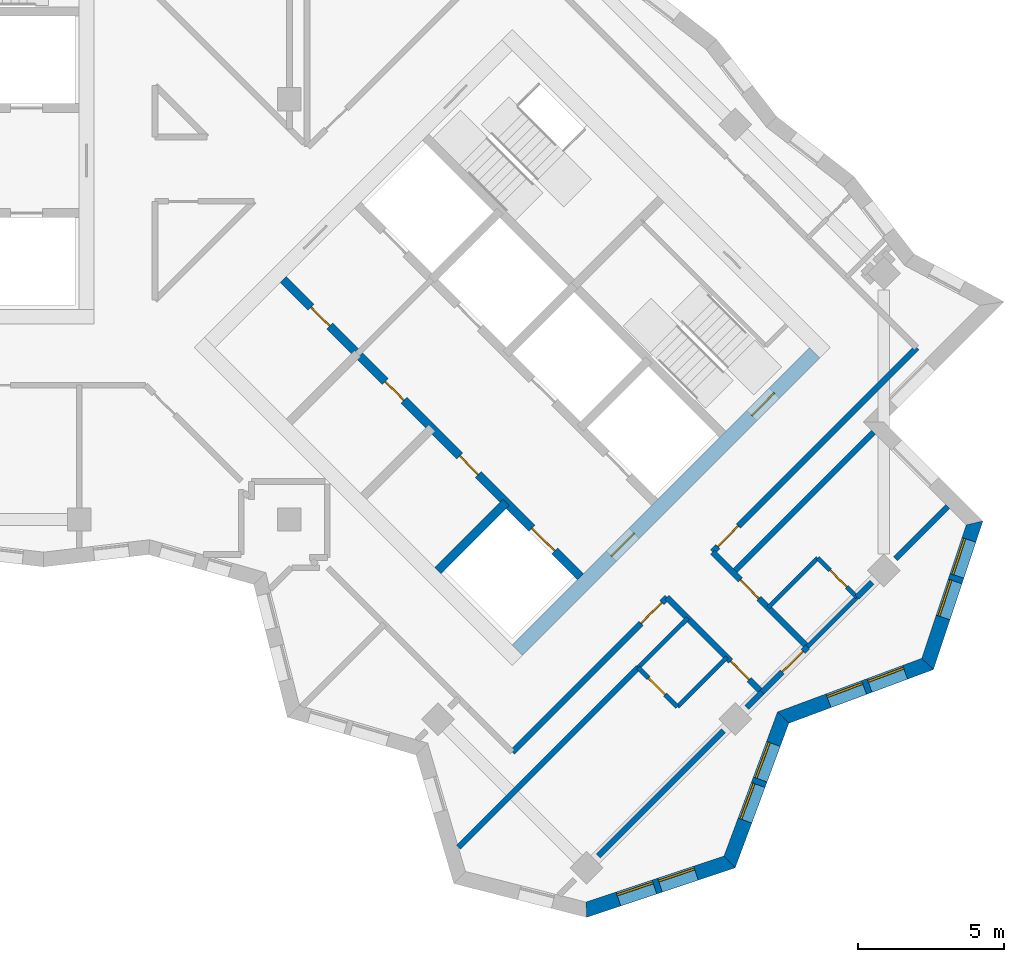
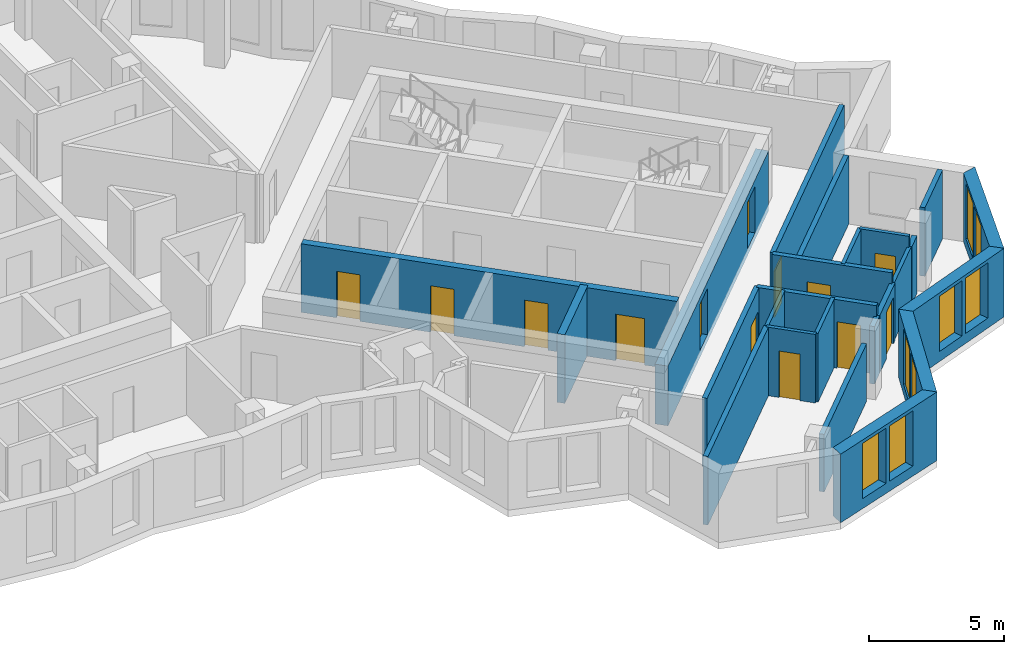
# One storey, part 8 of 13: 24 walls, 13 doors, 8 windows, 21 openings.
"""IFC4 building model written with IfcOpenShell, lengths in metres."""

from ifc_helpers import new_model, si_unit, direction, frame, frame_2d, origin, place, context, subcontext, project, spatial, polyline, rectangle, outline, extrude, material, layer, layer_set, type_object, element, fill, save


model = new_model("IFC4")

# Units and contexts
model_context = context("Model", 3, precision=1e-05, world=origin(), true_north=direction((0.0, 1.0)))
body_context = subcontext(model_context, "Body", "Model", "MODEL_VIEW")
ifc_project = project(units=[si_unit("LENGTHUNIT", "METRE"), si_unit("AREAUNIT", "SQUARE_METRE"), si_unit("VOLUMEUNIT", "CUBIC_METRE"), si_unit("PLANEANGLEUNIT", "RADIAN"), si_unit("MASSUNIT", "GRAM", prefix="KILO")], contexts=[model_context])

# Site, building, storey
site_placement = place(None, origin())
site = spatial("IfcSite", under=ifc_project, at=site_placement, CompositionType="ELEMENT")
building_placement = place(site_placement, origin())
building = spatial("IfcBuilding", under=site, at=building_placement, Name="Windrow Commons", CompositionType="ELEMENT")
storey_placement = place(building_placement, frame((0.0, 0.0, 203.2)))
storey = spatial("IfcBuildingStorey", under=building, at=storey_placement, Name="L55", CompositionType="ELEMENT", Elevation=203.2)

# Wall, openings, windows
ifc_material_1 = material(Name="Brick masonry, red clay brick", Category="masonry")
ifc_layer_1 = layer(ifc_material_1, 0.5)
ifc_layer_set_1 = layer_set([ifc_layer_1], Name="Brick facade wall 500")
wall_type_1 = type_object("IfcWallType", Name="Brick facade wall 500", PredefinedType="SOLIDWALL", material=ifc_layer_set_1)
wall_1_placement = place(storey_placement, frame((89.3728, 29.8339, 0.0), z_axis=(0.0, 0.0, 1.0), x_axis=(0.9486832981, 0.316227766, 0.0)))
wall_1 = element("IfcWall", 1, at=wall_1_placement, inside=storey, type_object=wall_type_1, Name="Brick facade wall L55 1", PredefinedType="SOLIDWALL", context=body_context, shape_type="SweptSolid", body=[
    extrude(outline(polyline([(-0.0733, -0.25), (5.2933, -0.25), (5.0538, 0.25), (0.0733, 0.25), (-0.0733, -0.25)])), origin(), (0.0, 0.0, 1.0), 3.1),
])
opening_1_placement = place(wall_1_placement, frame((1.1585, 0.0, 0.45)))
opening_1 = element("IfcOpeningElement", 2, at=opening_1_placement, cuts=wall_1, Name="Opening W1Q", PredefinedType="OPENING", context=body_context, shape_type="SweptSolid", body=[
    extrude(rectangle(XDim=1.3, YDim=2.5, at=frame_2d((0.65, 1.25))), frame((0.0, 0.26, 0.0), z_axis=(0.0, -1.0, 0.0), x_axis=(1.0, 0.0, 0.0)), (0.0, 0.0, 1.0), 0.52),
])
opening_2_placement = place(wall_1_placement, frame((2.6585, 0.0, 0.45)))
opening_2 = element("IfcOpeningElement", 3, at=opening_2_placement, cuts=wall_1, Name="Opening W1Q", PredefinedType="OPENING", context=body_context, shape_type="SweptSolid", body=[
    extrude(rectangle(XDim=1.3, YDim=2.5, at=frame_2d((0.65, 1.25))), frame((0.0, 0.26, 0.0), z_axis=(0.0, -1.0, 0.0), x_axis=(1.0, 0.0, 0.0)), (0.0, 0.0, 1.0), 0.52),
])
ifc_material_2 = material(Name="Clear float glass in anodised aluminium frame", Category="aluminium")
window_type = type_object("IfcWindowType", Name="Window W1Q pair 1300x2500", PartitioningType="SINGLE_PANEL", PredefinedType="WINDOW", material=ifc_material_2)
window_1_placement = place(opening_1_placement, origin())
window_1 = element("IfcWindow", 4, at=window_1_placement, inside=storey, type_object=window_type, Name="Window L55 1.1A", OverallHeight=2.5, OverallWidth=1.3, PartitioningType="SINGLE_PANEL", PredefinedType="WINDOW", context=body_context, shape_type="SweptSolid", body=[
    extrude(rectangle(XDim=1.3, YDim=2.5, at=frame_2d((0.65, 1.25))), frame((0.0, 0.18, 0.0), z_axis=(0.0, -1.0, 0.0), x_axis=(1.0, 0.0, 0.0)), (0.0, 0.0, 1.0), 0.06),
])
fill(opening_1, window_1)
window_2_placement = place(opening_2_placement, origin())
window_2 = element("IfcWindow", 5, at=window_2_placement, inside=storey, type_object=window_type, Name="Window L55 1.1B", OverallHeight=2.5, OverallWidth=1.3, PartitioningType="SINGLE_PANEL", PredefinedType="WINDOW", context=body_context, shape_type="SweptSolid", body=[
    extrude(rectangle(XDim=1.3, YDim=2.5, at=frame_2d((0.65, 1.25))), frame((0.0, 0.18, 0.0), z_axis=(0.0, -1.0, 0.0), x_axis=(1.0, 0.0, 0.0)), (0.0, 0.0, 1.0), 0.06),
])
fill(opening_2, window_2)

wall_2_placement = place(storey_placement, frame((94.2808, 31.4699, 0.0), z_axis=(0.0, 0.0, 1.0), x_axis=(0.3481903374, 0.9374238577, 0.0)))
wall_2 = element("IfcWall", 6, at=wall_2_placement, inside=storey, type_object=wall_type_1, Name="Brick facade wall L55 2", PredefinedType="SOLIDWALL", context=body_context, shape_type="SweptSolid", body=[
    extrude(outline(polyline([(-0.1197, -0.25), (5.1604, -0.25), (5.3896, 0.25), (0.1197, 0.25), (-0.1197, -0.25)])), origin(), (0.0, 0.0, 1.0), 3.1),
])
opening_3_placement = place(wall_2_placement, frame((1.5123, 0.0, 0.45)))
opening_3 = element("IfcOpeningElement", 7, at=opening_3_placement, cuts=wall_2, Name="Opening W1Q", PredefinedType="OPENING", context=body_context, shape_type="SweptSolid", body=[
    extrude(rectangle(XDim=1.3, YDim=2.5, at=frame_2d((0.65, 1.25))), frame((0.0, 0.26, 0.0), z_axis=(0.0, -1.0, 0.0), x_axis=(1.0, 0.0, 0.0)), (0.0, 0.0, 1.0), 0.52),
])
opening_4_placement = place(wall_2_placement, frame((3.0123, 0.0, 0.45)))
opening_4 = element("IfcOpeningElement", 8, at=opening_4_placement, cuts=wall_2, Name="Opening W1Q", PredefinedType="OPENING", context=body_context, shape_type="SweptSolid", body=[
    extrude(rectangle(XDim=1.3, YDim=2.5, at=frame_2d((0.65, 1.25))), frame((0.0, 0.26, 0.0), z_axis=(0.0, -1.0, 0.0), x_axis=(1.0, 0.0, 0.0)), (0.0, 0.0, 1.0), 0.52),
])
window_3_placement = place(opening_3_placement, origin())
window_3 = element("IfcWindow", 9, at=window_3_placement, inside=storey, type_object=window_type, Name="Window L55 2.1A", OverallHeight=2.5, OverallWidth=1.3, PartitioningType="SINGLE_PANEL", PredefinedType="WINDOW", context=body_context, shape_type="SweptSolid", body=[
    extrude(rectangle(XDim=1.3, YDim=2.5, at=frame_2d((0.65, 1.25))), frame((0.0, 0.18, 0.0), z_axis=(0.0, -1.0, 0.0), x_axis=(1.0, 0.0, 0.0)), (0.0, 0.0, 1.0), 0.06),
])
fill(opening_3, window_3)
window_4_placement = place(opening_4_placement, origin())
window_4 = element("IfcWindow", 10, at=window_4_placement, inside=storey, type_object=window_type, Name="Window L55 2.1B", OverallHeight=2.5, OverallWidth=1.3, PartitioningType="SINGLE_PANEL", PredefinedType="WINDOW", context=body_context, shape_type="SweptSolid", body=[
    extrude(rectangle(XDim=1.3, YDim=2.5, at=frame_2d((0.65, 1.25))), frame((0.0, 0.18, 0.0), z_axis=(0.0, -1.0, 0.0), x_axis=(1.0, 0.0, 0.0)), (0.0, 0.0, 1.0), 0.06),
])
fill(opening_4, window_4)

wall_3_placement = place(storey_placement, frame((96.1175, 36.4148, 0.0), z_axis=(0.0, 0.0, 1.0), x_axis=(0.9374238577, 0.3481903374, 0.0)))
wall_3 = element("IfcWall", 11, at=wall_3_placement, inside=storey, type_object=wall_type_1, Name="Brick facade wall L55 3", PredefinedType="SOLIDWALL", context=body_context, shape_type="SweptSolid", body=[
    extrude(outline(polyline([(0.1146, -0.25), (5.3947, -0.25), (5.1552, 0.25), (-0.1146, 0.25), (0.1146, -0.25)])), origin(), (0.0, 0.0, 1.0), 3.1),
])
opening_5_placement = place(wall_3_placement, frame((1.655, 0.0, 0.45)))
opening_5 = element("IfcOpeningElement", 12, at=opening_5_placement, cuts=wall_3, Name="Opening W1Q", PredefinedType="OPENING", context=body_context, shape_type="SweptSolid", body=[
    extrude(rectangle(XDim=1.3, YDim=2.5, at=frame_2d((0.65, 1.25))), frame((0.0, 0.26, 0.0), z_axis=(0.0, -1.0, 0.0), x_axis=(1.0, 0.0, 0.0)), (0.0, 0.0, 1.0), 0.52),
])
opening_6_placement = place(wall_3_placement, frame((3.155, 0.0, 0.45)))
opening_6 = element("IfcOpeningElement", 13, at=opening_6_placement, cuts=wall_3, Name="Opening W1Q", PredefinedType="OPENING", context=body_context, shape_type="SweptSolid", body=[
    extrude(rectangle(XDim=1.3, YDim=2.5, at=frame_2d((0.65, 1.25))), frame((0.0, 0.26, 0.0), z_axis=(0.0, -1.0, 0.0), x_axis=(1.0, 0.0, 0.0)), (0.0, 0.0, 1.0), 0.52),
])
window_5_placement = place(opening_5_placement, origin())
window_5 = element("IfcWindow", 14, at=window_5_placement, inside=storey, type_object=window_type, Name="Window L55 3.1A", OverallHeight=2.5, OverallWidth=1.3, PartitioningType="SINGLE_PANEL", PredefinedType="WINDOW", context=body_context, shape_type="SweptSolid", body=[
    extrude(rectangle(XDim=1.3, YDim=2.5, at=frame_2d((0.65, 1.25))), frame((0.0, 0.18, 0.0), z_axis=(0.0, -1.0, 0.0), x_axis=(1.0, 0.0, 0.0)), (0.0, 0.0, 1.0), 0.06),
])
fill(opening_5, window_5)
window_6_placement = place(opening_6_placement, origin())
window_6 = element("IfcWindow", 15, at=window_6_placement, inside=storey, type_object=window_type, Name="Window L55 3.1B", OverallHeight=2.5, OverallWidth=1.3, PartitioningType="SINGLE_PANEL", PredefinedType="WINDOW", context=body_context, shape_type="SweptSolid", body=[
    extrude(rectangle(XDim=1.3, YDim=2.5, at=frame_2d((0.65, 1.25))), frame((0.0, 0.18, 0.0), z_axis=(0.0, -1.0, 0.0), x_axis=(1.0, 0.0, 0.0)), (0.0, 0.0, 1.0), 0.06),
])
fill(opening_6, window_6)

wall_4_placement = place(storey_placement, frame((101.0624, 38.2515, 0.0), z_axis=(0.0, 0.0, 1.0), x_axis=(0.3162395484, 0.9486793705, 0.0)))
wall_4 = element("IfcWall", 16, at=wall_4_placement, inside=storey, type_object=wall_type_1, Name="Brick facade wall L55 4", PredefinedType="SOLIDWALL", context=body_context, shape_type="SweptSolid", body=[
    extrude(outline(polyline([(-0.1197, -0.25), (5.2468, -0.25), (4.9378, 0.25), (0.1197, 0.25), (-0.1197, -0.25)])), origin(), (0.0, 0.0, 1.0), 3.1),
])
opening_7_placement = place(wall_4_placement, frame((1.6796, 0.0, 0.45)))
opening_7 = element("IfcOpeningElement", 17, at=opening_7_placement, cuts=wall_4, Name="Opening W1Q", PredefinedType="OPENING", context=body_context, shape_type="SweptSolid", body=[
    extrude(rectangle(XDim=1.3, YDim=2.5, at=frame_2d((0.65, 1.25))), frame((0.0, 0.26, 0.0), z_axis=(0.0, -1.0, 0.0), x_axis=(1.0, 0.0, 0.0)), (0.0, 0.0, 1.0), 0.52),
])
opening_8_placement = place(wall_4_placement, frame((3.1796, 0.0, 0.45)))
opening_8 = element("IfcOpeningElement", 18, at=opening_8_placement, cuts=wall_4, Name="Opening W1Q", PredefinedType="OPENING", context=body_context, shape_type="SweptSolid", body=[
    extrude(rectangle(XDim=1.3, YDim=2.5, at=frame_2d((0.65, 1.25))), frame((0.0, 0.26, 0.0), z_axis=(0.0, -1.0, 0.0), x_axis=(1.0, 0.0, 0.0)), (0.0, 0.0, 1.0), 0.52),
])
window_7_placement = place(opening_7_placement, origin())
window_7 = element("IfcWindow", 19, at=window_7_placement, inside=storey, type_object=window_type, Name="Window L55 4.1A", OverallHeight=2.5, OverallWidth=1.3, PartitioningType="SINGLE_PANEL", PredefinedType="WINDOW", context=body_context, shape_type="SweptSolid", body=[
    extrude(rectangle(XDim=1.3, YDim=2.5, at=frame_2d((0.65, 1.25))), frame((0.0, 0.18, 0.0), z_axis=(0.0, -1.0, 0.0), x_axis=(1.0, 0.0, 0.0)), (0.0, 0.0, 1.0), 0.06),
])
fill(opening_7, window_7)
window_8_placement = place(opening_8_placement, origin())
window_8 = element("IfcWindow", 20, at=window_8_placement, inside=storey, type_object=window_type, Name="Window L55 4.1B", OverallHeight=2.5, OverallWidth=1.3, PartitioningType="SINGLE_PANEL", PredefinedType="WINDOW", context=body_context, shape_type="SweptSolid", body=[
    extrude(rectangle(XDim=1.3, YDim=2.5, at=frame_2d((0.65, 1.25))), frame((0.0, 0.18, 0.0), z_axis=(0.0, -1.0, 0.0), x_axis=(1.0, 0.0, 0.0)), (0.0, 0.0, 1.0), 0.06),
])
fill(opening_8, window_8)

# Wall, opening, door
ifc_material_3 = material(Name="Blockwork partition", Category="masonry")
ifc_layer_2 = layer(ifc_material_3, 0.2)
ifc_layer_set_2 = layer_set([ifc_layer_2], Name="IW-CORRIDOR-200")
wall_type_2 = type_object("IfcWallType", Name="IW-CORRIDOR-200", PredefinedType="PARTITIONING", material=ifc_layer_set_2)
wall_5_placement = place(storey_placement, frame((93.6953, 42.0907, 0.0), z_axis=(0.0, 0.0, 1.0), x_axis=(0.7071067812, 0.7071067812, 0.0)))
wall_5 = element("IfcWall", 21, at=wall_5_placement, inside=storey, type_object=wall_type_2, Name="W-L55-W009", PredefinedType="PARTITIONING", context=body_context, shape_type="SweptSolid", body=[
    extrude(rectangle(XDim=9.8995, YDim=0.2, at=frame_2d((4.9497, 0.0))), origin(), (0.0, 0.0, 1.0), 3.1),
])
opening_9_placement = place(wall_5_placement, frame((0.2553, 0.0, 0.0)))
opening_9 = element("IfcOpeningElement", 22, at=opening_9_placement, cuts=wall_5, Name="Opening D310F", PredefinedType="OPENING", context=body_context, shape_type="SweptSolid", body=[
    extrude(rectangle(XDim=1.0, YDim=2.1, at=frame_2d((0.5, 1.05))), frame((0.0, 0.11, 0.0), z_axis=(0.0, -1.0, 0.0), x_axis=(1.0, 0.0, 0.0)), (0.0, 0.0, 1.0), 0.22),
])
ifc_material_4 = material(Name="Timber door leaf", Category="wood")
door_type_1 = type_object("IfcDoorType", Name="DT-AMENITY-1000", OperationType="SINGLE_SWING_LEFT", PredefinedType="DOOR", material=ifc_material_4)
door_1_placement = place(opening_9_placement, origin())
door_1 = element("IfcDoor", 23, at=door_1_placement, inside=storey, type_object=door_type_1, Name="D-L55-D048", OperationType="SINGLE_SWING_LEFT", OverallHeight=2.1, OverallWidth=1.0, PredefinedType="DOOR", context=body_context, shape_type="SweptSolid", body=[
    extrude(rectangle(XDim=1.0, YDim=2.1, at=frame_2d((0.5, 1.05))), frame((0.0, 0.025, 0.0), z_axis=(0.0, -1.0, 0.0), x_axis=(1.0, 0.0, 0.0)), (0.0, 0.0, 1.0), 0.05),
])
fill(opening_9, door_1)

wall_6_placement = place(storey_placement, frame((86.8353, 35.2307, 0.0), z_axis=(0.0, 0.0, 1.0), x_axis=(0.7071067812, 0.7071067812, 0.0)))
wall_6 = element("IfcWall", 24, at=wall_6_placement, inside=storey, type_object=wall_type_2, Name="W-L55-W013", PredefinedType="PARTITIONING", context=body_context, shape_type="SweptSolid", body=[
    extrude(rectangle(XDim=7.501, YDim=0.2, at=frame_2d((3.7505, 0.0))), origin(), (0.0, 0.0, 1.0), 3.1),
])
opening_10_placement = place(wall_6_placement, frame((6.2426, 0.0, 0.0)))
opening_10 = element("IfcOpeningElement", 25, at=opening_10_placement, cuts=wall_6, Name="Opening D310F", PredefinedType="OPENING", context=body_context, shape_type="SweptSolid", body=[
    extrude(rectangle(XDim=1.0, YDim=2.1, at=frame_2d((0.5, 1.05))), frame((0.0, 0.11, 0.0), z_axis=(0.0, -1.0, 0.0), x_axis=(1.0, 0.0, 0.0)), (0.0, 0.0, 1.0), 0.22),
])
door_2_placement = place(opening_10_placement, origin())
door_2 = element("IfcDoor", 26, at=door_2_placement, inside=storey, type_object=door_type_1, Name="D-L55-D049", OperationType="SINGLE_SWING_RIGHT", OverallHeight=2.1, OverallWidth=1.0, PredefinedType="DOOR", context=body_context, shape_type="SweptSolid", body=[
    extrude(rectangle(XDim=1.0, YDim=2.1, at=frame_2d((0.5, 1.05))), frame((0.0, 0.025, 0.0), z_axis=(0.0, -1.0, 0.0), x_axis=(1.0, 0.0, 0.0)), (0.0, 0.0, 1.0), 0.05),
])
fill(opening_10, door_2)

wall_7_placement = place(storey_placement, frame((93.6933, 42.0853, 0.0), z_axis=(0.0, 0.0, 1.0), x_axis=(0.7071067812, -0.7071067812, 0.0)))
wall_7 = element("IfcWall", 27, at=wall_7_placement, inside=storey, type_object=wall_type_2, Name="W-L55-W034", PredefinedType="PARTITIONING", context=body_context, shape_type="SweptSolid", body=[
    extrude(rectangle(XDim=4.599, YDim=0.2, at=frame_2d((2.2995, 0.0))), origin(), (0.0, 0.0, 1.0), 3.1),
])
opening_11_placement = place(wall_7_placement, frame((1.3488, 0.0, 0.0)))
opening_11 = element("IfcOpeningElement", 28, at=opening_11_placement, cuts=wall_7, Name="Opening D109S", PredefinedType="OPENING", context=body_context, shape_type="SweptSolid", body=[
    extrude(rectangle(XDim=0.9, YDim=2.1, at=frame_2d((0.45, 1.05))), frame((0.0, 0.11, 0.0), z_axis=(0.0, -1.0, 0.0), x_axis=(1.0, 0.0, 0.0)), (0.0, 0.0, 1.0), 0.22),
])
ifc_material_5 = material(Name="Timber door leaf", Category="wood")
door_type_2 = type_object("IfcDoorType", Name="DT-BEDROOM-900", OperationType="SINGLE_SWING_LEFT", PredefinedType="DOOR", material=ifc_material_5)
door_3_placement = place(opening_11_placement, origin())
door_3 = element("IfcDoor", 29, at=door_3_placement, inside=storey, type_object=door_type_2, Name="D-L55-D050", OperationType="SINGLE_SWING_RIGHT", OverallHeight=2.1, OverallWidth=0.9, PredefinedType="DOOR", context=body_context, shape_type="SweptSolid", body=[
    extrude(rectangle(XDim=0.9, YDim=2.1, at=frame_2d((0.45, 1.05))), frame((0.0, 0.025, 0.0), z_axis=(0.0, -1.0, 0.0), x_axis=(1.0, 0.0, 0.0)), (0.0, 0.0, 1.0), 0.05),
])
fill(opening_11, door_3)

wall_8_placement = place(storey_placement, frame((92.1367, 40.5307, 0.0), z_axis=(0.0, 0.0, 1.0), x_axis=(0.7071067812, -0.7071067812, 0.0)))
wall_8 = element("IfcWall", 30, at=wall_8_placement, inside=storey, type_object=wall_type_2, Name="W-L55-W035", PredefinedType="PARTITIONING", context=body_context, shape_type="SweptSolid", body=[
    extrude(rectangle(XDim=4.599, YDim=0.2, at=frame_2d((2.2995, 0.0))), origin(), (0.0, 0.0, 1.0), 3.1),
])
opening_12_placement = place(wall_8_placement, frame((3.0827, 0.0, 0.0)))
opening_12 = element("IfcOpeningElement", 31, at=opening_12_placement, cuts=wall_8, Name="Opening D109S", PredefinedType="OPENING", context=body_context, shape_type="SweptSolid", body=[
    extrude(rectangle(XDim=0.9, YDim=2.1, at=frame_2d((0.45, 1.05))), frame((0.0, 0.11, 0.0), z_axis=(0.0, -1.0, 0.0), x_axis=(1.0, 0.0, 0.0)), (0.0, 0.0, 1.0), 0.22),
])
door_4_placement = place(opening_12_placement, origin())
door_4 = element("IfcDoor", 32, at=door_4_placement, inside=storey, type_object=door_type_2, Name="D-L55-D052", OperationType="SINGLE_SWING_LEFT", OverallHeight=2.1, OverallWidth=0.9, PredefinedType="DOOR", context=body_context, shape_type="SweptSolid", body=[
    extrude(rectangle(XDim=0.9, YDim=2.1, at=frame_2d((0.45, 1.05))), frame((0.0, 0.025, 0.0), z_axis=(0.0, -1.0, 0.0), x_axis=(1.0, 0.0, 0.0)), (0.0, 0.0, 1.0), 0.05),
])
fill(opening_12, door_4)

wall_9_placement = place(storey_placement, frame((95.3923, 37.2817, 0.0), z_axis=(0.0, 0.0, 1.0), x_axis=(0.7075613659, 0.706651904, 0.0)))
wall_9 = element("IfcWall", 33, at=wall_9_placement, inside=storey, type_object=wall_type_2, Name="W-L55-W096", PredefinedType="PARTITIONING", context=body_context, shape_type="SweptSolid", body=[
    extrude(rectangle(XDim=2.1991, YDim=0.2, at=frame_2d((1.0996, 0.0))), origin(), (0.0, 0.0, 1.0), 2.6),
])
opening_13_placement = place(wall_9_placement, frame((0.9865, 0.0, 0.0)))
opening_13 = element("IfcOpeningElement", 34, at=opening_13_placement, cuts=wall_9, Name="Opening D310F", PredefinedType="OPENING", context=body_context, shape_type="SweptSolid", body=[
    extrude(rectangle(XDim=1.0, YDim=2.1, at=frame_2d((0.5, 1.05))), frame((0.0, 0.11, 0.0), z_axis=(0.0, -1.0, 0.0), x_axis=(1.0, 0.0, 0.0)), (0.0, 0.0, 1.0), 0.22),
])
door_5_placement = place(opening_13_placement, origin())
door_5 = element("IfcDoor", 35, at=door_5_placement, inside=storey, type_object=door_type_1, Name="D-L55-D054", OperationType="SINGLE_SWING_RIGHT", OverallHeight=2.1, OverallWidth=1.0, PredefinedType="DOOR", context=body_context, shape_type="SweptSolid", body=[
    extrude(rectangle(XDim=1.0, YDim=2.1, at=frame_2d((0.5, 1.05))), frame((0.0, 0.025, 0.0), z_axis=(0.0, -1.0, 0.0), x_axis=(1.0, 0.0, 0.0)), (0.0, 0.0, 1.0), 0.05),
])
fill(opening_13, door_5)

# Walls
ifc_material_6 = material(Name="Blockwork partition", Category="masonry")
ifc_layer_3 = layer(ifc_material_6, 0.15)
ifc_layer_set_3 = layer_set([ifc_layer_3], Name="IW-ENSUITE-150")
wall_type_3 = type_object("IfcWallType", Name="IW-ENSUITE-150", PredefinedType="PARTITIONING", material=ifc_layer_set_3)
wall_10_placement = place(storey_placement, frame((95.6035, 40.1805, 0.0), z_axis=(0.0, 0.0, 1.0), x_axis=(0.7071067812, 0.7071067812, 0.0)))
element("IfcWall", 36, at=wall_10_placement, inside=storey, type_object=wall_type_3, Name="W-L55-W060", PredefinedType="PARTITIONING", context=body_context, shape_type="SweptSolid", body=[
    extrude(rectangle(XDim=2.4013, YDim=0.15, at=frame_2d((1.2006, 0.0))), origin(), (0.0, 0.0, 1.0), 3.1),
])
wall_11_placement = place(storey_placement, frame((96.947, 38.837, 0.0), z_axis=(0.0, 0.0, 1.0), x_axis=(0.7071067812, 0.7071067812, 0.0)))
element("IfcWall", 37, at=wall_11_placement, inside=storey, type_object=wall_type_3, Name="W-L55-W061", PredefinedType="PARTITIONING", context=body_context, shape_type="SweptSolid", body=[
    extrude(rectangle(XDim=2.4013, YDim=0.15, at=frame_2d((1.2006, 0.0))), origin(), (0.0, 0.0, 1.0), 2.6),
])
for number, where, z_axis, x_axis, name in (
    (38, (91.1522, 38.1278, 0.0), (0.0, 0.0, 1.0), (0.7075233388, 0.706689978, 0.0), "W-L55-W089"),
    (39, (92.4973, 36.7827, 0.0), (0.0, 0.0, 1.0), (0.706689978, 0.7075233388, 0.0), "W-L55-W090"),
):
    element("IfcWall", number, at=place(storey_placement, frame(where, z_axis=z_axis, x_axis=x_axis)), inside=storey, type_object=wall_type_3, Name=name, PredefinedType="PARTITIONING", context=body_context, shape_type="SweptSolid", body=[
        extrude(rectangle(XDim=2.3999, YDim=0.15, at=frame_2d((1.2, 0.0))), origin(), (0.0, 0.0, 1.0), 3.1),
    ])

# Wall, opening, door
wall_12_placement = place(storey_placement, frame((97.3054, 41.8814, 0.0), z_axis=(0.0, 0.0, 1.0), x_axis=(0.7071067812, -0.7071067812, 0.0)))
wall_12 = element("IfcWall", 40, at=wall_12_placement, inside=storey, type_object=wall_type_3, Name="W-L55-W109", PredefinedType="PARTITIONING", context=body_context, shape_type="SweptSolid", body=[
    extrude(rectangle(XDim=1.9007, YDim=0.15, at=frame_2d((0.9504, 0.0))), origin(), (0.0, 0.0, 1.0), 3.1),
])
opening_14_placement = place(wall_12_placement, frame((0.5956, 0.0, 0.0)))
opening_14 = element("IfcOpeningElement", 41, at=opening_14_placement, cuts=wall_12, Name="Opening D208N", PredefinedType="OPENING", context=body_context, shape_type="SweptSolid", body=[
    extrude(rectangle(XDim=0.8, YDim=2.1, at=frame_2d((0.4, 1.05))), frame((0.0, 0.085, 0.0), z_axis=(0.0, -1.0, 0.0), x_axis=(1.0, 0.0, 0.0)), (0.0, 0.0, 1.0), 0.17),
])
ifc_material_7 = material(Name="Timber door leaf", Category="wood")
door_type_3 = type_object("IfcDoorType", Name="DT-ENSUITE-800", OperationType="SINGLE_SWING_LEFT", PredefinedType="DOOR", material=ifc_material_7)
door_6_placement = place(opening_14_placement, origin())
door_6 = element("IfcDoor", 42, at=door_6_placement, inside=storey, type_object=door_type_3, Name="D-L55-D051", OperationType="SINGLE_SWING_RIGHT", OverallHeight=2.1, OverallWidth=0.8, PredefinedType="DOOR", context=body_context, shape_type="SweptSolid", body=[
    extrude(rectangle(XDim=0.8, YDim=2.1, at=frame_2d((0.4, 1.05))), frame((0.0, 0.025, 0.0), z_axis=(0.0, -1.0, 0.0), x_axis=(1.0, 0.0, 0.0)), (0.0, 0.0, 1.0), 0.05),
])
fill(opening_14, door_6)

wall_13_placement = place(storey_placement, frame((91.1466, 38.1266, 0.0), z_axis=(0.0, 0.0, 1.0), x_axis=(0.7071067812, -0.7071067812, 0.0)))
wall_13 = element("IfcWall", 43, at=wall_13_placement, inside=storey, type_object=wall_type_3, Name="W-L55-W110", PredefinedType="PARTITIONING", context=body_context, shape_type="SweptSolid", body=[
    extrude(rectangle(XDim=1.9007, YDim=0.15, at=frame_2d((0.9504, 0.0))), origin(), (0.0, 0.0, 1.0), 3.1),
])
opening_15_placement = place(wall_13_placement, frame((0.5056, 0.0, 0.0)))
opening_15 = element("IfcOpeningElement", 44, at=opening_15_placement, cuts=wall_13, Name="Opening D208N", PredefinedType="OPENING", context=body_context, shape_type="SweptSolid", body=[
    extrude(rectangle(XDim=0.8, YDim=2.1, at=frame_2d((0.4, 1.05))), frame((0.0, 0.085, 0.0), z_axis=(0.0, -1.0, 0.0), x_axis=(1.0, 0.0, 0.0)), (0.0, 0.0, 1.0), 0.17),
])
door_7_placement = place(opening_15_placement, origin())
door_7 = element("IfcDoor", 45, at=door_7_placement, inside=storey, type_object=door_type_3, Name="D-L55-D053", OperationType="SINGLE_SWING_RIGHT", OverallHeight=2.1, OverallWidth=0.8, PredefinedType="DOOR", context=body_context, shape_type="SweptSolid", body=[
    extrude(rectangle(XDim=0.8, YDim=2.1, at=frame_2d((0.4, 1.05))), frame((0.0, 0.025, 0.0), z_axis=(0.0, -1.0, 0.0), x_axis=(1.0, 0.0, 0.0)), (0.0, 0.0, 1.0), 0.05),
])
fill(opening_15, door_7)

# Walls
ifc_material_8 = material(Name="Blockwork partition", Category="masonry")
ifc_layer_4 = layer(ifc_material_8, 0.2)
ifc_layer_set_4 = layer_set([ifc_layer_4], Name="IW-PARTY-200")
wall_type_4 = type_object("IfcWallType", Name="IW-PARTY-200", PredefinedType="PARTITIONING", material=ifc_layer_set_4)
wall_14_placement = place(storey_placement, frame((84.9896, 31.9708, 0.0), z_axis=(0.0, 0.0, 1.0), x_axis=(0.7071067812, 0.7071067812, 0.0)))
element("IfcWall", 46, at=wall_14_placement, inside=storey, type_object=wall_type_4, Name="W-L55-W012", PredefinedType="PARTITIONING", context=body_context, shape_type="SweptSolid", body=[
    extrude(rectangle(XDim=8.7113, YDim=0.2, at=frame_2d((4.3556, 0.0))), origin(), (0.0, 0.0, 1.0), 3.1),
])
wall_15_placement = place(storey_placement, frame((94.4016, 41.3824, 0.0), z_axis=(0.0, 0.0, 1.0), x_axis=(0.7072538072, 0.7069597246, 0.0)))
element("IfcWall", 47, at=wall_15_placement, inside=storey, type_object=wall_type_4, Name="W-L55-W017", PredefinedType="PARTITIONING", context=body_context, shape_type="SweptSolid", body=[
    extrude(rectangle(XDim=6.8008, YDim=0.2, at=frame_2d((3.4004, 0.0))), origin(), (0.0, 0.0, 1.0), 3.1),
])
wall_16_placement = place(storey_placement, frame((89.781, 31.671, 0.0), z_axis=(0.0, 0.0, 1.0), x_axis=(0.7071067812, 0.7071067812, 0.0)))
element("IfcWall", 48, at=wall_16_placement, inside=storey, type_object=wall_type_4, Name="W-L55-W026", PredefinedType="PARTITIONING", context=body_context, shape_type="SweptSolid", body=[
    extrude(rectangle(XDim=6.0698, YDim=0.2, at=frame_2d((3.0349, 0.0))), origin(), (0.0, 0.0, 1.0), 2.6),
])
wall_17_placement = place(storey_placement, frame((99.964, 41.854, 0.0), z_axis=(0.0, 0.0, 1.0), x_axis=(0.7071265121, 0.7070870497, 0.0)))
element("IfcWall", 49, at=wall_17_placement, inside=storey, type_object=wall_type_4, Name="W-L55-W059", PredefinedType="PARTITIONING", context=body_context, shape_type="SweptSolid", body=[
    extrude(rectangle(XDim=2.5341, YDim=0.2, at=frame_2d((1.2671, 0.0))), origin(), (0.0, 0.0, 1.0), 3.1),
])
for number, where, z_axis, x_axis, name in (
    (50, (98.6453, 40.5347, 0.0), (0.0, 0.0, 1.0), (0.7057430303, 0.7084679069, 0.0), "W-L55-W149"),
    (51, (94.8735, 36.7625, 0.0), (0.0, 0.0, 1.0), (0.7057430303, 0.7084679069, 0.0), "W-L55-W150"),
):
    element("IfcWall", number, at=place(storey_placement, frame(where, z_axis=z_axis, x_axis=x_axis)), inside=storey, type_object=wall_type_4, Name=name, PredefinedType="PARTITIONING", context=body_context, shape_type="SweptSolid", body=[
        extrude(rectangle(XDim=0.734, YDim=0.2, at=frame_2d((0.367, 0.0))), origin(), (0.0, 0.0, 1.0), 2.6),
    ])

# Wall, openings, doors
ifc_material_9 = material(Name="Concrete C40/50", Category="concrete")
ifc_layer_5 = layer(ifc_material_9, 0.5)
ifc_layer_set_5 = layer_set([ifc_layer_5], Name="RC CORE WALL 500 C40/50")
wall_type_5 = type_object("IfcWallType", Name="RC CORE WALL 500 C40/50", PredefinedType="SHEAR", material=ifc_layer_set_5)
wall_18_placement = place(storey_placement, frame((87.0135, 38.7306, -0.3), z_axis=(0.0, 0.0, 1.0), x_axis=(0.7071067812, 0.7071067812, 0.0)))
wall_18 = element("IfcWall", 52, at=wall_18_placement, inside=storey, type_object=wall_type_5, Name="Core B wall outer-E", PredefinedType="SHEAR", context=body_context, shape_type="SweptSolid", body=[
    extrude(rectangle(XDim=14.4001, YDim=0.5, at=frame_2d((7.2001, 0.0))), origin(), (0.0, 0.0, 1.0), 2.7),
])
opening_16_placement = place(wall_18_placement, frame((4.55, 0.0, 0.3)))
opening_16 = element("IfcOpeningElement", 53, at=opening_16_placement, cuts=wall_18, Name="Opening D6", PredefinedType="OPENING", context=body_context, shape_type="SweptSolid", body=[
    extrude(rectangle(XDim=1.1, YDim=2.1, at=frame_2d((0.55, 1.05))), frame((0.0, 0.26, 0.0), z_axis=(0.0, -1.0, 0.0), x_axis=(1.0, 0.0, 0.0)), (0.0, 0.0, 1.0), 0.52),
])
opening_17_placement = place(wall_18_placement, frame((11.35, 0.0, 0.3)))
opening_17 = element("IfcOpeningElement", 54, at=opening_17_placement, cuts=wall_18, Name="Opening D7", PredefinedType="OPENING", context=body_context, shape_type="SweptSolid", body=[
    extrude(rectangle(XDim=1.1, YDim=2.1, at=frame_2d((0.55, 1.05))), frame((0.0, 0.26, 0.0), z_axis=(0.0, -1.0, 0.0), x_axis=(1.0, 0.0, 0.0)), (0.0, 0.0, 1.0), 0.52),
])
ifc_material_10 = material(Name="Steel fire door leaf", Category="steel")
door_type_4 = type_object("IfcDoorType", Name="Core lobby door 1100", OperationType="SINGLE_SWING_LEFT", PredefinedType="DOOR", material=ifc_material_10)
door_8_placement = place(opening_16_placement, origin())
door_8 = element("IfcDoor", 55, at=door_8_placement, inside=storey, type_object=door_type_4, Name="Lift lobby door", OperationType="DOUBLE_DOOR_SINGLE_SWING", OverallHeight=2.1, OverallWidth=1.1, PredefinedType="DOOR", context=body_context, shape_type="SweptSolid", body=[
    extrude(rectangle(XDim=1.1, YDim=2.1, at=frame_2d((0.55, 1.05))), frame((0.0, 0.025, 0.0), z_axis=(0.0, -1.0, 0.0), x_axis=(1.0, 0.0, 0.0)), (0.0, 0.0, 1.0), 0.05),
])
fill(opening_16, door_8)
ifc_material_11 = material(Name="Steel fire door leaf", Category="steel")
door_type_5 = type_object("IfcDoorType", Name="Stair door 1100", OperationType="SINGLE_SWING_LEFT", PredefinedType="DOOR", material=ifc_material_11)
door_9_placement = place(opening_17_placement, origin())
door_9 = element("IfcDoor", 56, at=door_9_placement, inside=storey, type_object=door_type_5, Name="Stair door", OperationType="SINGLE_SWING_RIGHT", OverallHeight=2.1, OverallWidth=1.1, PredefinedType="DOOR", context=body_context, shape_type="SweptSolid", body=[
    extrude(rectangle(XDim=1.1, YDim=2.1, at=frame_2d((0.55, 1.05))), frame((0.0, 0.025, 0.0), z_axis=(0.0, -1.0, 0.0), x_axis=(1.0, 0.0, 0.0)), (0.0, 0.0, 1.0), 0.05),
])
fill(opening_17, door_9)

# Wall
ifc_material_12 = material(Name="Concrete C40/50", Category="concrete")
ifc_layer_6 = layer(ifc_material_12, 0.3)
ifc_layer_set_6 = layer_set([ifc_layer_6], Name="RC SHAFT WALL 300 C40/50")
wall_type_6 = type_object("IfcWallType", Name="RC SHAFT WALL 300 C40/50", PredefinedType="SOLIDWALL", material=ifc_layer_set_6)
wall_19_placement = place(storey_placement, frame((84.2912, 41.453, 0.0), z_axis=(0.0, 0.0, 1.0), x_axis=(0.7071067812, 0.7071067812, 0.0)))
element("IfcWall", 57, at=wall_19_placement, inside=storey, type_object=wall_type_6, Name="Core B wall shaft-S3", PredefinedType="SOLIDWALL", context=body_context, shape_type="SweptSolid", body=[
    extrude(rectangle(XDim=3.2999, YDim=0.3, at=frame_2d((1.65, 0.0))), origin(), (0.0, 0.0, 1.0), 3.1),
])

# Wall, openings, doors
wall_20_placement = place(storey_placement, frame((78.9879, 51.4232, 0.0), z_axis=(0.0, 0.0, 1.0), x_axis=(0.7071067812, -0.7071067812, 0.0)))
wall_20 = element("IfcWall", 58, at=wall_20_placement, inside=storey, type_object=wall_type_6, Name="Core B wall lobby-S", PredefinedType="SOLIDWALL", context=body_context, shape_type="SweptSolid", body=[
    extrude(rectangle(XDim=14.3999, YDim=0.3, at=frame_2d((7.2, 0.0))), origin(), (0.0, 0.0, 1.0), 3.1),
])
opening_18_placement = place(wall_20_placement, frame((1.35, 0.0, 0.0)))
opening_18 = element("IfcOpeningElement", 59, at=opening_18_placement, cuts=wall_20, Name="Opening D8", PredefinedType="OPENING", context=body_context, shape_type="SweptSolid", body=[
    extrude(rectangle(XDim=0.9, YDim=2.1, at=frame_2d((0.45, 1.05))), frame((0.0, 0.16, 0.0), z_axis=(0.0, -1.0, 0.0), x_axis=(1.0, 0.0, 0.0)), (0.0, 0.0, 1.0), 0.32),
])
opening_19_placement = place(wall_20_placement, frame((4.95, 0.0, 0.0)))
opening_19 = element("IfcOpeningElement", 60, at=opening_19_placement, cuts=wall_20, Name="Opening D8", PredefinedType="OPENING", context=body_context, shape_type="SweptSolid", body=[
    extrude(rectangle(XDim=0.9, YDim=2.1, at=frame_2d((0.45, 1.05))), frame((0.0, 0.16, 0.0), z_axis=(0.0, -1.0, 0.0), x_axis=(1.0, 0.0, 0.0)), (0.0, 0.0, 1.0), 0.32),
])
opening_20_placement = place(wall_20_placement, frame((8.55, 0.0, 0.0)))
opening_20 = element("IfcOpeningElement", 61, at=opening_20_placement, cuts=wall_20, Name="Opening D8", PredefinedType="OPENING", context=body_context, shape_type="SweptSolid", body=[
    extrude(rectangle(XDim=0.9, YDim=2.1, at=frame_2d((0.45, 1.05))), frame((0.0, 0.16, 0.0), z_axis=(0.0, -1.0, 0.0), x_axis=(1.0, 0.0, 0.0)), (0.0, 0.0, 1.0), 0.32),
])
opening_21_placement = place(wall_20_placement, frame((12.05, 0.0, 0.0)))
opening_21 = element("IfcOpeningElement", 62, at=opening_21_placement, cuts=wall_20, Name="Opening LD", PredefinedType="OPENING", context=body_context, shape_type="SweptSolid", body=[
    extrude(rectangle(XDim=1.1, YDim=2.1, at=frame_2d((0.55, 1.05))), frame((0.0, 0.16, 0.0), z_axis=(0.0, -1.0, 0.0), x_axis=(1.0, 0.0, 0.0)), (0.0, 0.0, 1.0), 0.32),
])
ifc_material_13 = material(Name="Steel fire door leaf", Category="steel")
door_type_6 = type_object("IfcDoorType", Name="Core store door 900", OperationType="SINGLE_SWING_LEFT", PredefinedType="DOOR", material=ifc_material_13)
door_10_placement = place(opening_18_placement, origin())
door_10 = element("IfcDoor", 63, at=door_10_placement, inside=storey, type_object=door_type_6, Name="Store door", OperationType="SINGLE_SWING_LEFT", OverallHeight=2.1, OverallWidth=0.9, PredefinedType="DOOR", context=body_context, shape_type="SweptSolid", body=[
    extrude(rectangle(XDim=0.9, YDim=2.1, at=frame_2d((0.45, 1.05))), frame((0.0, 0.025, 0.0), z_axis=(0.0, -1.0, 0.0), x_axis=(1.0, 0.0, 0.0)), (0.0, 0.0, 1.0), 0.05),
])
fill(opening_18, door_10)
door_11_placement = place(opening_19_placement, origin())
door_11 = element("IfcDoor", 64, at=door_11_placement, inside=storey, type_object=door_type_6, Name="Store door", OperationType="SINGLE_SWING_LEFT", OverallHeight=2.1, OverallWidth=0.9, PredefinedType="DOOR", context=body_context, shape_type="SweptSolid", body=[
    extrude(rectangle(XDim=0.9, YDim=2.1, at=frame_2d((0.45, 1.05))), frame((0.0, 0.025, 0.0), z_axis=(0.0, -1.0, 0.0), x_axis=(1.0, 0.0, 0.0)), (0.0, 0.0, 1.0), 0.05),
])
fill(opening_19, door_11)
door_12_placement = place(opening_20_placement, origin())
door_12 = element("IfcDoor", 65, at=door_12_placement, inside=storey, type_object=door_type_6, Name="Store door", OperationType="SINGLE_SWING_LEFT", OverallHeight=2.1, OverallWidth=0.9, PredefinedType="DOOR", context=body_context, shape_type="SweptSolid", body=[
    extrude(rectangle(XDim=0.9, YDim=2.1, at=frame_2d((0.45, 1.05))), frame((0.0, 0.025, 0.0), z_axis=(0.0, -1.0, 0.0), x_axis=(1.0, 0.0, 0.0)), (0.0, 0.0, 1.0), 0.05),
])
fill(opening_20, door_12)
ifc_material_14 = material(Name="Stainless steel door leaf", Category="steel")
door_type_7 = type_object("IfcDoorType", Name="Lift landing door 1100", OperationType="SLIDING_TO_LEFT", PredefinedType="DOOR", material=ifc_material_14)
door_13_placement = place(opening_21_placement, origin())
door_13 = element("IfcDoor", 66, at=door_13_placement, inside=storey, type_object=door_type_7, Name="Lift landing door", OperationType="SLIDING_TO_RIGHT", OverallHeight=2.1, OverallWidth=1.1, PredefinedType="DOOR", context=body_context, shape_type="SweptSolid", body=[
    extrude(rectangle(XDim=1.1, YDim=2.1, at=frame_2d((0.55, 1.05))), frame((0.0, 0.025, 0.0), z_axis=(0.0, -1.0, 0.0), x_axis=(1.0, 0.0, 0.0)), (0.0, 0.0, 1.0), 0.05),
])
fill(opening_21, door_13)

save(model, "model.ifc")
